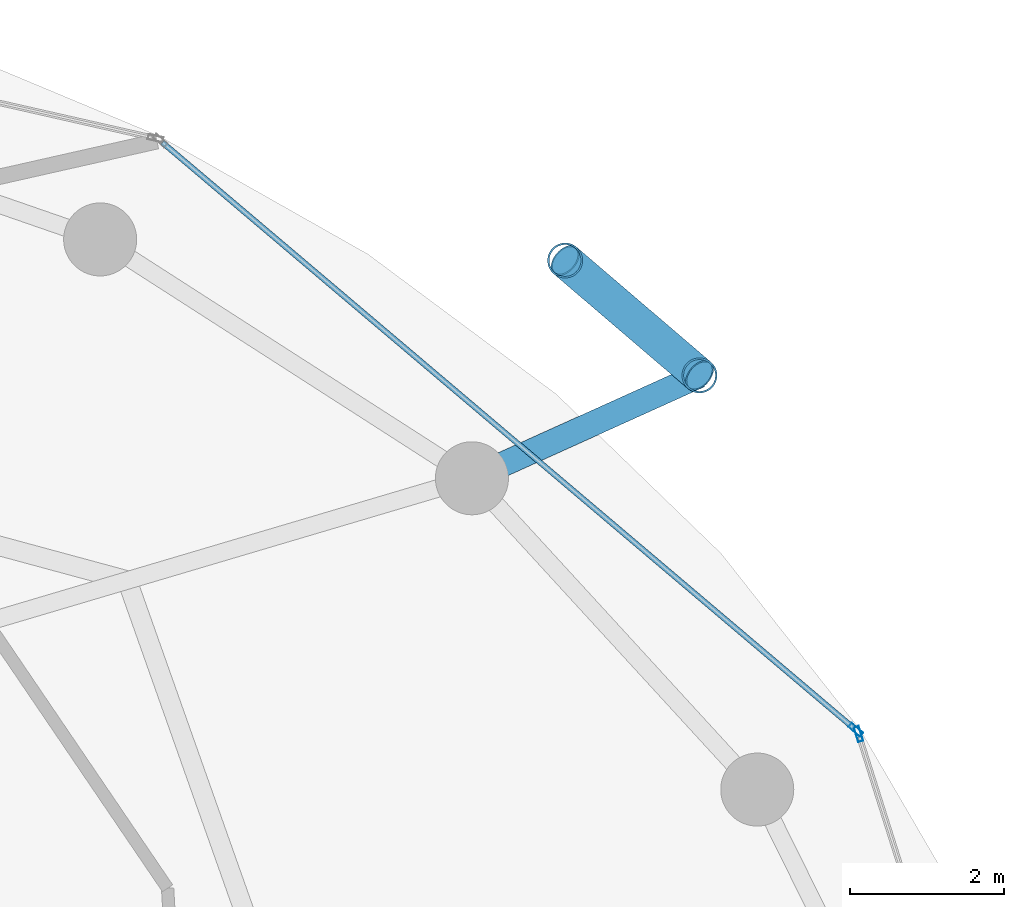
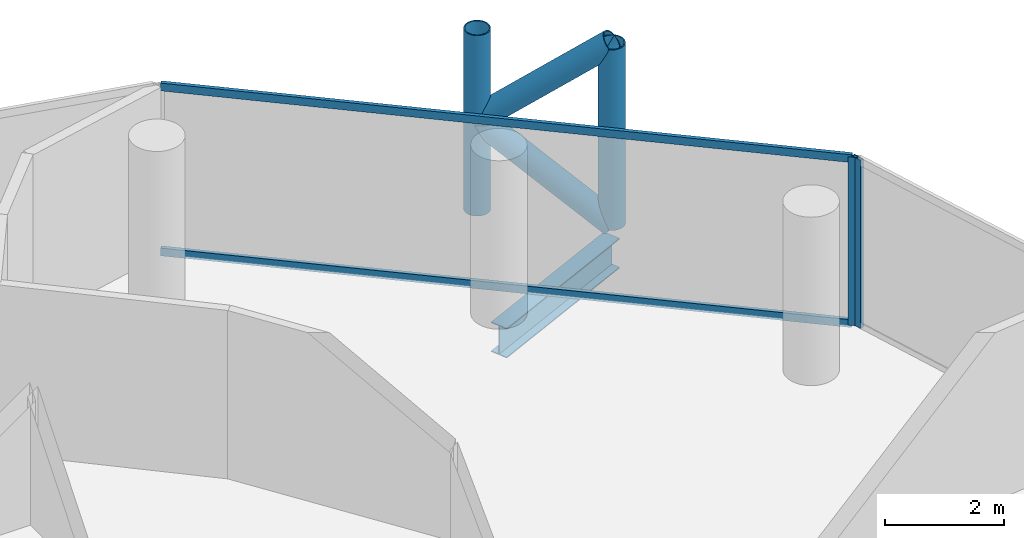
# One storey, part 19 of 26: 8 members, 1 beam, 2 elements without a shape of their own.
"""IFC4 building model written with IfcOpenShell, lengths in metres."""

from ifc_helpers import new_model, si_unit, direction, frame, origin, origin_2d, place, context, subcontext, project, spatial, hollow_rectangle, hollow_circle, i_section, extrude, material, layer, layer_set, material_profile, profile_set, type_object, element, aggregate, save


model = new_model("IFC4")

# Units and contexts
model_context = context("Model", 3, precision=1e-05, world=origin(), true_north=direction((0.0, 1.0)))
body_context = subcontext(model_context, "Body", "Model", "MODEL_VIEW")
ifc_project = project(units=[si_unit("LENGTHUNIT", "METRE"), si_unit("AREAUNIT", "SQUARE_METRE"), si_unit("VOLUMEUNIT", "CUBIC_METRE"), si_unit("PLANEANGLEUNIT", "RADIAN"), si_unit("MASSUNIT", "GRAM", prefix="KILO")], contexts=[model_context])

# Site, building, storey
site_placement = place(None, origin())
site = spatial("IfcSite", under=ifc_project, at=site_placement, CompositionType="ELEMENT")
building_placement = place(site_placement, origin())
building = spatial("IfcBuilding", under=site, at=building_placement, Name="Nuhasar Tower", CompositionType="ELEMENT")
storey_placement = place(building_placement, frame((0.0, 0.0, 118.25)))
storey = spatial("IfcBuildingStorey", under=building, at=storey_placement, Name="L27", CompositionType="ELEMENT", Elevation=118.25)

# Beam
ifc_material_1 = material(Name="Steel S355", Category="steel")
ifc_material_profile_1 = material_profile(ifc_material_1, i_section(OverallWidth=0.323974609375, OverallDepth=0.611083984375, WebThickness=0.0126953125, FlangeThickness=0.01904296875, at=origin_2d()), Name="W24X104")
ifc_profile_set_1 = profile_set([ifc_material_profile_1], Name="Steel S355")
beam_type = type_object("IfcBeamType", Name="BM-TIE-W24X104", PredefinedType="BEAM", material=ifc_profile_set_1)
beam_placement = place(storey_placement, frame((55.510986328125, 40.6240234375, -0.554931640625), z_axis=(0.911239591969, 0.411876687891, 0.0), x_axis=(-0.411876687891, 0.911239591969, 0.0)))
element("IfcBeam", 1, at=beam_placement, inside=storey, type_object=beam_type, Name="L27 Exoskeleton Node Tie Beam 02", PredefinedType="BEAM", context=body_context, shape_type="SweptSolid", body=[
    extrude(i_section(OverallWidth=0.323974609375, OverallDepth=0.611083984375, WebThickness=0.0126953125, FlangeThickness=0.01904296875, at=origin_2d()), origin(), (0.0, 0.0, 1.0), 3.248291015625),
])

# Curtain wall, member
ifc_material_2 = material(Name="Aluminium 6063-T6", Category="aluminium")
ifc_layer = layer(ifc_material_2, 0.199951171875)
ifc_layer_set = layer_set([ifc_layer], Name="Aluminium 6063-T6")
curtain_wall_type = type_object("IfcCurtainWallType", Name="CW-Z2-HTL", PredefinedType="NOTDEFINED", material=ifc_layer_set)
curtain_wall_1_placement = place(storey_placement, origin())
curtain_wall_1 = element("IfcCurtainWall", 2, at=curtain_wall_1_placement, inside=storey, type_object=curtain_wall_type, Name="L27 Unitised Curtain Wall 01", PredefinedType="NOTDEFINED")
ifc_material_profile_2 = material_profile(ifc_material_2, hollow_rectangle(XDim=0.070068359375, YDim=0.199951171875, WallThickness=0.0048828125, at=origin_2d()), Name="CWM-3")
ifc_profile_set_2 = profile_set([ifc_material_profile_2], Name="Aluminium 6063-T6")
member_type_1 = type_object("IfcMemberType", Name="CW-MUL-S3", PredefinedType="MULLION", material=ifc_profile_set_2)
member_1_placement = place(storey_placement, frame((60.53955078125, 37.296630859375, 0.0), z_axis=(0.0, 0.0, 1.0), x_axis=(-0.953433389233, -0.301603667577, 0.0)))
member_1 = element("IfcMember", 3, at=member_1_placement, type_object=member_type_1, Name="CW-Z2 mullion 2", PredefinedType="MULLION", context=body_context, shape_type="SweptSolid", body=[
    extrude(hollow_rectangle(XDim=0.070068359375, YDim=0.199951171875, WallThickness=0.0048828125, at=origin_2d()), origin(), (0.0, 0.0, 1.0), 3.449951171875),
])
aggregate(curtain_wall_1, [member_1])

# Curtain wall, members
curtain_wall_2_placement = place(storey_placement, origin())
curtain_wall_2 = element("IfcCurtainWall", 4, at=curtain_wall_2_placement, inside=storey, type_object=curtain_wall_type, Name="L27 Unitised Curtain Wall 02", PredefinedType="NOTDEFINED")
member_2_placement = place(storey_placement, frame((60.502197265625, 37.3525390625, 0.0), z_axis=(0.0, 0.0, 1.0), x_axis=(-0.646374438324, -0.763020370292, 0.0)))
member_2 = element("IfcMember", 5, at=member_2_placement, type_object=member_type_1, Name="CW-Z2 mullion 1", PredefinedType="MULLION", context=body_context, shape_type="SweptSolid", body=[
    extrude(hollow_rectangle(XDim=0.070068359375, YDim=0.199951171875, WallThickness=0.0048828125, at=origin_2d()), origin(), (0.0, 0.0, 1.0), 3.449951171875),
])
ifc_material_profile_3 = material_profile(ifc_material_2, hollow_rectangle(XDim=0.070068359375, YDim=0.159912109375, WallThickness=0.00439453125, at=origin_2d()), Name="CWT-3")
ifc_profile_set_3 = profile_set([ifc_material_profile_3], Name="Aluminium 6063-T6")
member_type_2 = type_object("IfcMemberType", Name="CW-TRN-S3", PredefinedType="USERDEFINED", material=ifc_profile_set_3)
member_3_placement = place(storey_placement, frame((60.4755859375, 37.375244140625, 0.034912109375), z_axis=(-0.763023915269, 0.646370253592, 0.0), x_axis=(-0.646370253592, -0.763023915269, 0.0)))
member_3 = element("IfcMember", 6, at=member_3_placement, type_object=member_type_2, Name="CW-Z2 transom 1.1", ObjectType="TRANSOM", PredefinedType="USERDEFINED", context=body_context, shape_type="SweptSolid", body=[
    extrude(hollow_rectangle(XDim=0.070068359375, YDim=0.159912109375, WallThickness=0.00439453125, at=origin_2d()), origin(), (0.0, 0.0, 1.0), 11.784912109375),
])
member_4_placement = place(storey_placement, frame((60.4755859375, 37.375244140625, 3.4150390625), z_axis=(-0.763023915269, 0.646370253592, 0.0), x_axis=(-0.646370253592, -0.763023915269, 0.0)))
member_4 = element("IfcMember", 7, at=member_4_placement, type_object=member_type_2, Name="CW-Z2 transom 1.2", ObjectType="TRANSOM", PredefinedType="USERDEFINED", context=body_context, shape_type="SweptSolid", body=[
    extrude(hollow_rectangle(XDim=0.070068359375, YDim=0.159912109375, WallThickness=0.00439453125, at=origin_2d()), origin(), (0.0, 0.0, 1.0), 11.784912109375),
])
aggregate(curtain_wall_2, [member_2, member_3, member_4])

# Members
ifc_material_3 = material(Name="Steel S460", Category="steel")
ifc_material_profile_4 = material_profile(ifc_material_3, hollow_circle(Radius=0.228515625, WallThickness=0.022216796875, at=origin_2d()), Name="HSS457X22.2")
ifc_profile_set_4 = profile_set([ifc_material_profile_4], Name="Steel S460")
member_type_3 = type_object("IfcMemberType", Name="EXO-BRONZE-457", PredefinedType="BRACE", material=ifc_profile_set_4)
for number, where, z_axis, x_axis, name in (
    (8, (58.470947265625, 41.9619140625, 0.0), (0.0, 0.0, 1.0), (1.0, 0.0, 0.0), "L27 Exoskeleton Chord Column EC-02A"),
    (9, (56.722900390625, 43.45703125, 0.0), (0.0, 0.0, 1.0), (1.0, 0.0, 0.0), "L27 Exoskeleton Chord Column EC-02B"),
):
    element("IfcMember", number, at=place(storey_placement, frame(where, z_axis=z_axis, x_axis=x_axis)), inside=storey, type_object=member_type_3, Name=name, PredefinedType="BRACE", context=body_context, shape_type="SweptSolid", body=[
        extrude(hollow_circle(Radius=0.228515625, WallThickness=0.022216796875, at=origin_2d()), origin(), (0.0, 0.0, 1.0), 3.699951171875),
    ])
member_5_placement = place(storey_placement, frame((58.470947265625, 41.9619140625, 0.0), z_axis=(-0.592170370358, 0.506487618445, 0.626741210415), x_axis=(-0.649986859795, -0.759945446788, 0.0)))
element("IfcMember", 10, at=member_5_placement, inside=storey, type_object=member_type_3, Name="L27 Bronze Diagrid Brace W1-02", PredefinedType="BRACE", context=body_context, shape_type="SweptSolid", body=[
    extrude(hollow_circle(Radius=0.228515625, WallThickness=0.022216796875, at=origin_2d()), origin(), (0.0, 0.0, 1.0), 2.951904296875),
])
member_6_placement = place(storey_placement, frame((56.722900390625, 43.45703125, 1.85009765625), z_axis=(0.592201065785, -0.506513872468, 0.626690988192), x_axis=(0.649986859795, 0.759945446788, 0.0)))
element("IfcMember", 11, at=member_6_placement, inside=storey, type_object=member_type_3, Name="L27 Bronze Diagrid Brace W2-02", PredefinedType="BRACE", context=body_context, shape_type="SweptSolid", body=[
    extrude(hollow_circle(Radius=0.228515625, WallThickness=0.022216796875, at=origin_2d()), origin(), (0.0, 0.0, 1.0), 2.95166015625),
])

save(model, "model.ifc")
